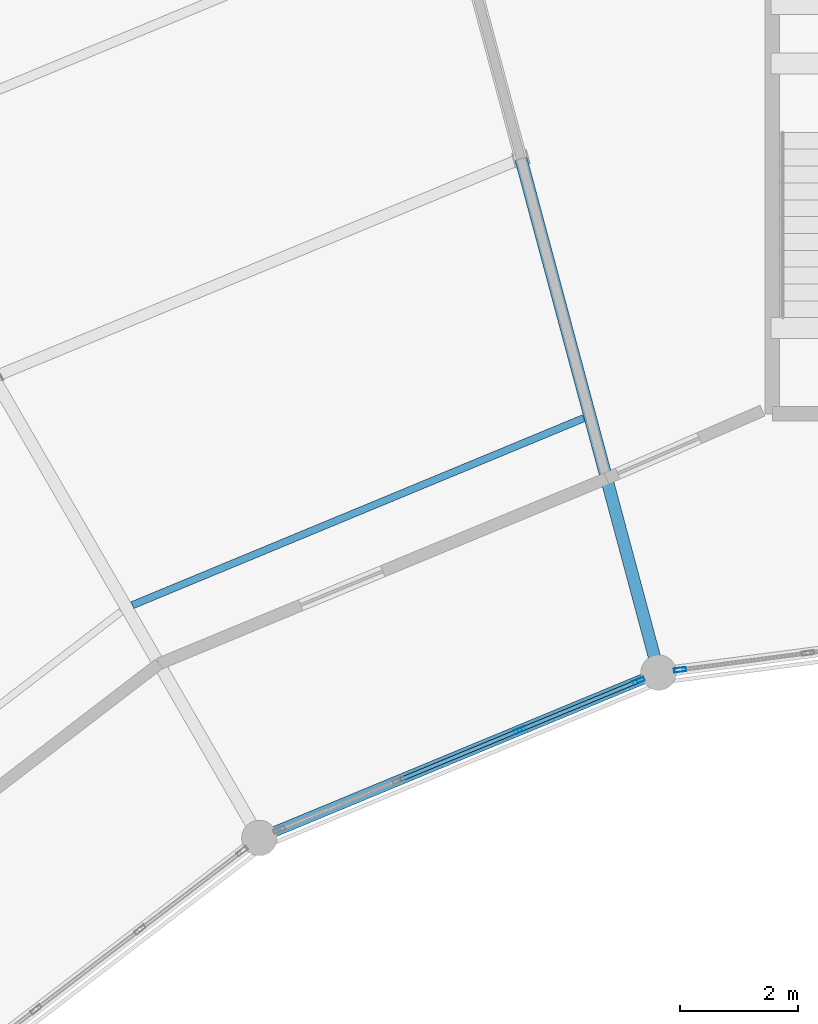
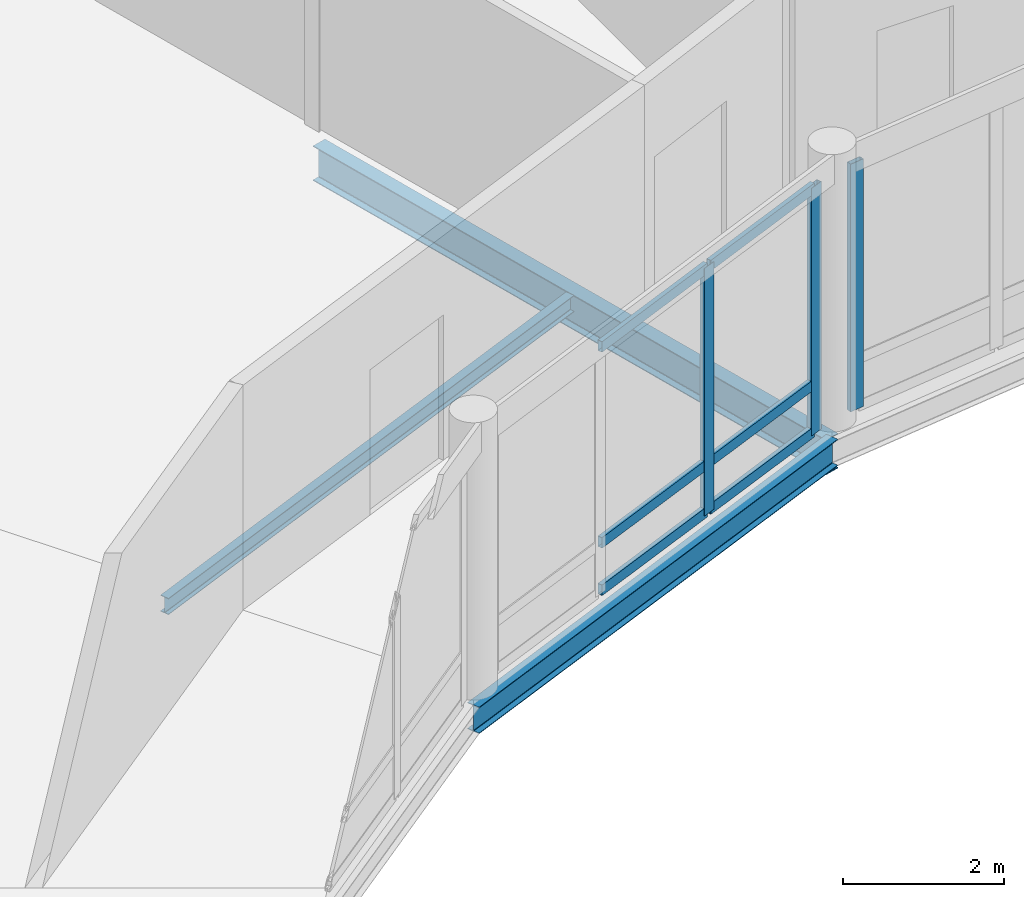
# One storey, part 85 of 185: 9 members, 3 beams, 2 elements without a shape of their own.
"""IFC4 building model written with IfcOpenShell, lengths in metres."""

from ifc_helpers import new_model, si_unit, direction, frame, origin, origin_2d, place, context, subcontext, project, spatial, hollow_rectangle, i_section, extrude, material, material_profile, profile_set, type_object, element, aggregate, save


model = new_model("IFC4")

# Units and contexts
model_context = context("Model", 3, precision=1e-05, world=origin(), true_north=direction((0.0, 1.0)))
body_context = subcontext(model_context, "Body", "Model", "MODEL_VIEW")
ifc_project = project(units=[si_unit("LENGTHUNIT", "METRE"), si_unit("AREAUNIT", "SQUARE_METRE"), si_unit("VOLUMEUNIT", "CUBIC_METRE"), si_unit("PLANEANGLEUNIT", "RADIAN"), si_unit("MASSUNIT", "GRAM", prefix="KILO")], contexts=[model_context])

# Site, building, storey
site_placement = place(None, origin())
site = spatial("IfcSite", under=ifc_project, at=site_placement, CompositionType="ELEMENT")
building_placement = place(site_placement, origin())
building = spatial("IfcBuilding", under=site, at=building_placement, Name="Vondelvale Polytechnic", CompositionType="ELEMENT")
storey_placement = place(building_placement, frame((0.0, 0.0, 9.60009765625)))
storey = spatial("IfcBuildingStorey", under=building, at=storey_placement, Name="L02", CompositionType="ELEMENT", Elevation=9.60009765625)

# Beams
ifc_material_1 = material(Name="Steel 300PLUS (fy = 300 MPa)", Category="steel")
ifc_material_profile_1 = material_profile(ifc_material_1, i_section(OverallWidth=0.177978515625, OverallDepth=0.403076171875, WebThickness=0.007568359375, FlangeThickness=0.010986328125, FilletRadius=0.011474609375, at=origin_2d()), Name="410UB53.7")
ifc_profile_set_1 = profile_set([ifc_material_profile_1], Name="Steel 300PLUS (fy = 300 MPa)")
beam_type_1 = type_object("IfcBeamType", Name="BM-UB410L", PredefinedType="BEAM", material=ifc_profile_set_1)
beam_1_placement = place(storey_placement, frame((94.753173828125, 99.0458984375, -0.481689453125), z_axis=(-0.923886161226, -0.382667428841, 0.0), x_axis=(0.382667428841, -0.923886161226, 0.0)))
element("IfcBeam", 1, at=beam_1_placement, inside=storey, type_object=beam_type_1, Name="L02 RB B-23", PredefinedType="BEAM", context=body_context, shape_type="SweptSolid", body=[
    extrude(i_section(OverallWidth=0.177978515625, OverallDepth=0.403076171875, WebThickness=0.007568359375, FlangeThickness=0.010986328125, FilletRadius=0.011474609375, at=origin_2d()), origin(), (0.0, 0.0, 1.0), 7.3095703125),
])
ifc_material_profile_2 = material_profile(ifc_material_1, i_section(OverallWidth=0.208984375, OverallDepth=0.528076171875, WebThickness=0.009521484375, FlangeThickness=0.01318359375, FilletRadius=0.013916015625, at=origin_2d()), Name="530UB82.0")
ifc_profile_set_2 = profile_set([ifc_material_profile_2], Name="Steel 300PLUS (fy = 300 MPa)")
beam_type_2 = type_object("IfcBeamType", Name="BM-UB530L", PredefinedType="BEAM", material=ifc_profile_set_2)
beam_2_placement = place(storey_placement, frame((94.753173828125, 99.0458984375, -0.544189453125), z_axis=(-0.258840941576, 0.965919958881, 0.0), x_axis=(-0.965919958881, -0.258840941576, 0.0)))
element("IfcBeam", 2, at=beam_2_placement, inside=storey, type_object=beam_type_2, Name="L02 RG B-21", PredefinedType="BEAM", context=body_context, shape_type="SweptSolid", body=[
    extrude(i_section(OverallWidth=0.208984375, OverallDepth=0.528076171875, WebThickness=0.009521484375, FlangeThickness=0.01318359375, FilletRadius=0.013916015625, at=origin_2d()), origin(), (0.0, 0.0, 1.0), 9.0),
])

# Curtain wall, member
ifc_material_2 = material(Name="Anodised extruded aluminium 6063-T6", Category="aluminium")
curtain_wall_type = type_object("IfcCurtainWallType", Name="CW-RING-CLOISTER", PredefinedType="NOTDEFINED", material=ifc_material_2)
curtain_wall_1_placement = place(storey_placement, origin())
curtain_wall_1 = element("IfcCurtainWall", 3, at=curtain_wall_1_placement, inside=storey, type_object=curtain_wall_type, Name="L02 architectural curtain wall CW-03-159", PredefinedType="NOTDEFINED")
ifc_material_profile_3 = material_profile(ifc_material_2, hollow_rectangle(XDim=0.070068359375, YDim=0.199951171875, WallThickness=0.00390625, at=origin_2d()), Name="CW-MUL-200x70")
ifc_profile_set_3 = profile_set([ifc_material_profile_3], Name="Anodised extruded aluminium 6063-T6")
member_type_1 = type_object("IfcMemberType", Name="CW-MUL-70x200", PredefinedType="MULLION", material=ifc_profile_set_3)
member_1_placement = place(storey_placement, frame((95.113525390625, 99.09326171875, 0.0), z_axis=(0.0, 0.0, 1.0), x_axis=(0.130528007165, -0.99144462243, 0.0)))
member_1 = element("IfcMember", 4, at=member_1_placement, type_object=member_type_1, Name="CW-03-159 mullion 4", PredefinedType="MULLION", context=body_context, shape_type="SweptSolid", body=[
    extrude(hollow_rectangle(XDim=0.070068359375, YDim=0.199951171875, WallThickness=0.00390625, at=origin_2d()), origin(), (0.0, 0.0, 1.0), 3.75),
])
aggregate(curtain_wall_1, [member_1])

# Curtain wall, members
curtain_wall_2_placement = place(storey_placement, origin())
curtain_wall_2 = element("IfcCurtainWall", 5, at=curtain_wall_2_placement, inside=storey, type_object=curtain_wall_type, Name="L02 architectural curtain wall CW-03-179", PredefinedType="NOTDEFINED")
member_2_placement = place(storey_placement, frame((94.415771484375, 98.90625, 0.0), z_axis=(0.0, 0.0, 1.0), x_axis=(0.382678531697, -0.923881562419, 0.0)))
member_2 = element("IfcMember", 6, at=member_2_placement, type_object=member_type_1, Name="CW-03-179 mullion 1", PredefinedType="MULLION", context=body_context, shape_type="SweptSolid", body=[
    extrude(hollow_rectangle(XDim=0.070068359375, YDim=0.199951171875, WallThickness=0.00390625, at=origin_2d()), origin(), (0.0, 0.0, 1.0), 3.75),
])
member_3_placement = place(storey_placement, frame((92.400390625, 98.0712890625, 0.0), z_axis=(0.0, 0.0, 1.0), x_axis=(0.382678531697, -0.923881562419, 0.0)))
member_3 = element("IfcMember", 7, at=member_3_placement, type_object=member_type_1, Name="CW-03-179 mullion 2", PredefinedType="MULLION", context=body_context, shape_type="SweptSolid", body=[
    extrude(hollow_rectangle(XDim=0.070068359375, YDim=0.199951171875, WallThickness=0.00390625, at=origin_2d()), origin(), (0.0, 0.0, 1.0), 3.75),
])
ifc_material_profile_4 = material_profile(ifc_material_2, hollow_rectangle(XDim=0.06494140625, YDim=0.159912109375, WallThickness=0.00341796875, at=origin_2d()), Name="CW-TRN-160x65")
ifc_profile_set_4 = profile_set([ifc_material_profile_4], Name="Anodised extruded aluminium 6063-T6")
member_type_2 = type_object("IfcMemberType", Name="CW-TRN-70x160", PredefinedType="USERDEFINED", material=ifc_profile_set_4)
member_4_placement = place(storey_placement, frame((94.383544921875, 98.892822265625, 0.032470703125), z_axis=(-0.923861804277, -0.382726229306, 0.0), x_axis=(0.382726229306, -0.923861804277, 0.0)))
member_4 = element("IfcMember", 8, at=member_4_placement, type_object=member_type_2, Name="CW-03-179 transom 1.1", ObjectType="TRANSOM", PredefinedType="USERDEFINED", context=body_context, shape_type="SweptSolid", body=[
    extrude(hollow_rectangle(XDim=0.06494140625, YDim=0.159912109375, WallThickness=0.00341796875, at=origin_2d()), origin(), (0.0, 0.0, 1.0), 2.111328125),
])
member_5_placement = place(storey_placement, frame((94.383544921875, 98.892822265625, 0.75), z_axis=(-0.923861804277, -0.382726229306, 0.0), x_axis=(0.382726229306, -0.923861804277, 0.0)))
member_5 = element("IfcMember", 9, at=member_5_placement, type_object=member_type_2, Name="CW-03-179 transom 1.2", ObjectType="TRANSOM", PredefinedType="USERDEFINED", context=body_context, shape_type="SweptSolid", body=[
    extrude(hollow_rectangle(XDim=0.06494140625, YDim=0.159912109375, WallThickness=0.00341796875, at=origin_2d()), origin(), (0.0, 0.0, 1.0), 2.111328125),
])
member_6_placement = place(storey_placement, frame((94.383544921875, 98.892822265625, 3.71728515625), z_axis=(-0.923861804277, -0.382726229306, 0.0), x_axis=(0.382726229306, -0.923861804277, 0.0)))
member_6 = element("IfcMember", 10, at=member_6_placement, type_object=member_type_2, Name="CW-03-179 transom 1.3", ObjectType="TRANSOM", PredefinedType="USERDEFINED", context=body_context, shape_type="SweptSolid", body=[
    extrude(hollow_rectangle(XDim=0.06494140625, YDim=0.159912109375, WallThickness=0.00341796875, at=origin_2d()), origin(), (0.0, 0.0, 1.0), 2.111328125),
])
member_7_placement = place(storey_placement, frame((92.3681640625, 98.05810546875, 0.032470703125), z_axis=(-0.923865730094, -0.382716752649, 0.0), x_axis=(0.382716752649, -0.923865730094, 0.0)))
member_7 = element("IfcMember", 11, at=member_7_placement, type_object=member_type_2, Name="CW-03-179 transom 2.1", ObjectType="TRANSOM", PredefinedType="USERDEFINED", context=body_context, shape_type="SweptSolid", body=[
    extrude(hollow_rectangle(XDim=0.06494140625, YDim=0.159912109375, WallThickness=0.00341796875, at=origin_2d()), origin(), (0.0, 0.0, 1.0), 2.146484375),
])
member_8_placement = place(storey_placement, frame((92.3681640625, 98.05810546875, 0.75), z_axis=(-0.923865730094, -0.382716752649, 0.0), x_axis=(0.382716752649, -0.923865730094, 0.0)))
member_8 = element("IfcMember", 12, at=member_8_placement, type_object=member_type_2, Name="CW-03-179 transom 2.2", ObjectType="TRANSOM", PredefinedType="USERDEFINED", context=body_context, shape_type="SweptSolid", body=[
    extrude(hollow_rectangle(XDim=0.06494140625, YDim=0.159912109375, WallThickness=0.00341796875, at=origin_2d()), origin(), (0.0, 0.0, 1.0), 2.146484375),
])
member_9_placement = place(storey_placement, frame((92.3681640625, 98.05810546875, 3.71728515625), z_axis=(-0.923865730094, -0.382716752649, 0.0), x_axis=(0.382716752649, -0.923865730094, 0.0)))
member_9 = element("IfcMember", 13, at=member_9_placement, type_object=member_type_2, Name="CW-03-179 transom 2.3", ObjectType="TRANSOM", PredefinedType="USERDEFINED", context=body_context, shape_type="SweptSolid", body=[
    extrude(hollow_rectangle(XDim=0.06494140625, YDim=0.159912109375, WallThickness=0.00341796875, at=origin_2d()), origin(), (0.0, 0.0, 1.0), 2.146484375),
])
aggregate(curtain_wall_2, [member_2, member_3, member_4, member_5, member_6, member_7, member_8, member_9])

# Beam
ifc_material_profile_5 = material_profile(ifc_material_1, i_section(OverallWidth=0.1240234375, OverallDepth=0.248046875, WebThickness=0.0048828125, FlangeThickness=0.008056640625, FilletRadius=0.0087890625, at=origin_2d()), Name="250UB25.7")
ifc_profile_set_5 = profile_set([ifc_material_profile_5], Name="Steel 300PLUS (fy = 300 MPa)")
beam_type_3 = type_object("IfcBeamType", Name="JST-UB250L", PredefinedType="JOIST", material=ifc_profile_set_5)
beam_3_placement = place(storey_placement, frame((93.48681640625, 103.3505859375, -0.404052734375), z_axis=(-0.923880733098, -0.38268053388, 0.0), x_axis=(0.38268053388, -0.923880733098, 0.0)))
element("IfcBeam", 14, at=beam_3_placement, inside=storey, type_object=beam_type_3, Name="L02 RJ J-08", PredefinedType="JOIST", context=body_context, shape_type="SweptSolid", body=[
    extrude(i_section(OverallWidth=0.1240234375, OverallDepth=0.248046875, WebThickness=0.0048828125, FlangeThickness=0.008056640625, FilletRadius=0.0087890625, at=origin_2d()), origin(), (0.0, 0.0, 1.0), 8.264404296875),
])

save(model, "model.ifc")
